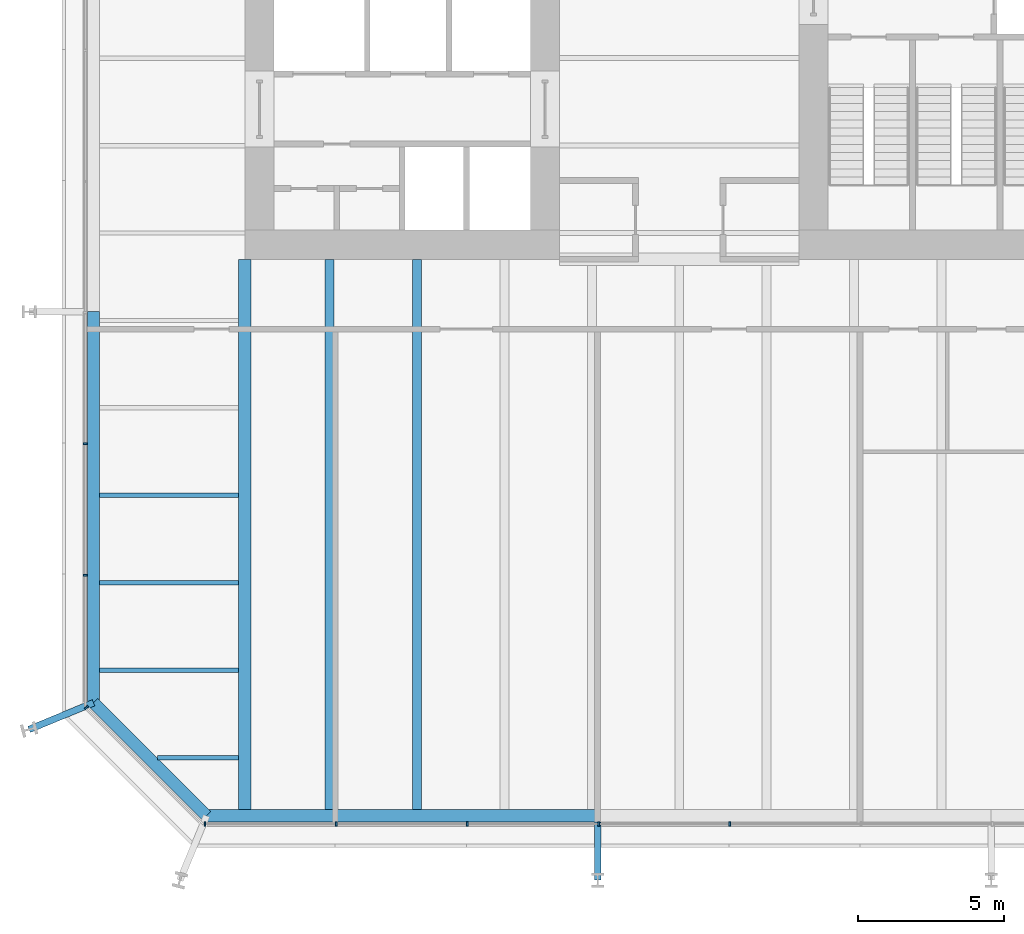
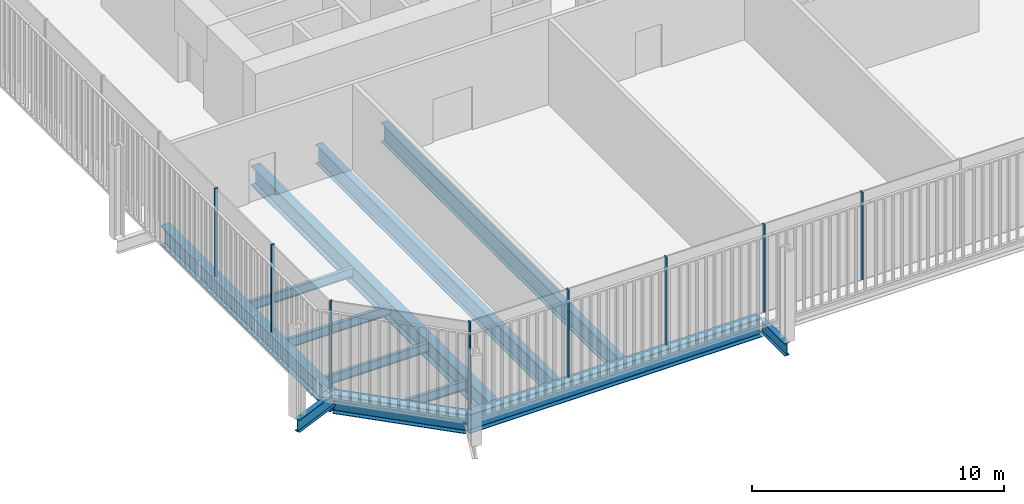
# One storey, part 2 of 20: 12 beams, 8 members, 3 elements without a shape of their own.
"""IFC4 building model written with IfcOpenShell, lengths in metres."""

from ifc_helpers import new_model, si_unit, direction, frame, origin, origin_2d, place, context, subcontext, project, spatial, rectangle, i_section, extrude, material, layer, layer_set, material_profile, profile_set, type_object, element, aggregate, save


model = new_model("IFC4")

# Units and contexts
model_context = context("Model", 3, precision=1e-05, world=origin(), true_north=direction((0.0, 1.0)))
body_context = subcontext(model_context, "Body", "Model", "MODEL_VIEW")
ifc_project = project(units=[si_unit("LENGTHUNIT", "METRE"), si_unit("AREAUNIT", "SQUARE_METRE"), si_unit("VOLUMEUNIT", "CUBIC_METRE"), si_unit("PLANEANGLEUNIT", "RADIAN"), si_unit("MASSUNIT", "GRAM", prefix="KILO")], contexts=[model_context])

# Site, building, storey
site_placement = place(None, origin())
site = spatial("IfcSite", under=ifc_project, at=site_placement, CompositionType="ELEMENT")
building_placement = place(site_placement, origin())
building = spatial("IfcBuilding", under=site, at=building_placement, Name="Millrace Tower", CompositionType="ELEMENT")
storey_placement = place(building_placement, frame((0.0, 0.0, 108.39990234375)))
storey = spatial("IfcBuildingStorey", under=building, at=storey_placement, Name="L24", CompositionType="ELEMENT", Elevation=108.39990234375)

# Curtain wall, member
ifc_material_1 = material(Name="Aluminium and glass", Category="aluminium")
ifc_layer = layer(ifc_material_1, 0.14990234375)
ifc_layer_set = layer_set([ifc_layer], Name="Aluminium and glass")
curtain_wall_type = type_object("IfcCurtainWallType", Name="CW-3 telecom floor curtain wall", PredefinedType="NOTDEFINED", material=ifc_layer_set)
placement = place(storey_placement, origin())
curtain_wall_1 = element("IfcCurtainWall", 1, at=placement, inside=storey, type_object=curtain_wall_type, Name="Curtain wall B-F01 L24", PredefinedType="NOTDEFINED")
ifc_material_2 = material(Name="Aluminium", Category="aluminium")
ifc_material_profile_1 = material_profile(ifc_material_2, rectangle(XDim=0.06494140625, YDim=0.14990234375, at=origin_2d()))
ifc_profile_set_1 = profile_set([ifc_material_profile_1], Name="Aluminium")
member_type = type_object("IfcMemberType", Name="CW-3 telecom floor curtain wall mullion", PredefinedType="MULLION", material=ifc_profile_set_1)
member_1_placement = place(storey_placement, frame((-20.330078125, -25.276123046875, 0.150146484375), z_axis=(0.0, 0.0, 1.0), x_axis=(0.707106781187, -0.707106781187, 0.0)))
member_1 = element("IfcMember", 2, at=member_1_placement, type_object=member_type, Name="CW3 mullion B-F01.1", PredefinedType="MULLION", context=body_context, shape_type="SweptSolid", body=[
    extrude(rectangle(XDim=0.06494140625, YDim=0.14990234375, at=origin_2d()), origin(), (0.0, 0.0, 1.0), 4.25),
])
aggregate(curtain_wall_1, [member_1])

# Curtain wall, members
curtain_wall_2 = element("IfcCurtainWall", 3, at=placement, inside=storey, type_object=curtain_wall_type, Name="Curtain wall B-F02 L24", PredefinedType="NOTDEFINED")
member_2_placement = place(storey_placement, frame((-16.267578125, -29.27490234375, 0.150146484375), z_axis=(0.0, 0.0, 1.0), x_axis=(1.0, 0.0, 0.0)))
member_2 = element("IfcMember", 4, at=member_2_placement, type_object=member_type, Name="CW3 mullion B-F02.1", PredefinedType="MULLION", context=body_context, shape_type="SweptSolid", body=[
    extrude(rectangle(XDim=0.06494140625, YDim=0.14990234375, at=origin_2d()), origin(), (0.0, 0.0, 1.0), 4.25),
])
member_3_placement = place(storey_placement, frame((-11.767578125, -29.27490234375, 0.150146484375), z_axis=(0.0, 0.0, 1.0), x_axis=(1.0, 0.0, 0.0)))
member_3 = element("IfcMember", 5, at=member_3_placement, type_object=member_type, Name="CW3 mullion B-F02.2", PredefinedType="MULLION", context=body_context, shape_type="SweptSolid", body=[
    extrude(rectangle(XDim=0.06494140625, YDim=0.14990234375, at=origin_2d()), origin(), (0.0, 0.0, 1.0), 4.25),
])
member_4_placement = place(storey_placement, frame((-7.267578125, -29.27490234375, 0.150146484375), z_axis=(0.0, 0.0, 1.0), x_axis=(1.0, 0.0, 0.0)))
member_4 = element("IfcMember", 6, at=member_4_placement, type_object=member_type, Name="CW3 mullion B-F02.3", PredefinedType="MULLION", context=body_context, shape_type="SweptSolid", body=[
    extrude(rectangle(XDim=0.06494140625, YDim=0.14990234375, at=origin_2d()), origin(), (0.0, 0.0, 1.0), 4.25),
])
member_5_placement = place(storey_placement, frame((-2.767578125, -29.27490234375, 0.150146484375), z_axis=(0.0, 0.0, 1.0), x_axis=(1.0, 0.0, 0.0)))
member_5 = element("IfcMember", 7, at=member_5_placement, type_object=member_type, Name="CW3 mullion B-F02.4", PredefinedType="MULLION", context=body_context, shape_type="SweptSolid", body=[
    extrude(rectangle(XDim=0.06494140625, YDim=0.14990234375, at=origin_2d()), origin(), (0.0, 0.0, 1.0), 4.25),
])
member_6_placement = place(storey_placement, frame((1.732421875, -29.27490234375, 0.150146484375), z_axis=(0.0, 0.0, 1.0), x_axis=(1.0, 0.0, 0.0)))
member_6 = element("IfcMember", 8, at=member_6_placement, type_object=member_type, Name="CW3 mullion B-F02.5", PredefinedType="MULLION", context=body_context, shape_type="SweptSolid", body=[
    extrude(rectangle(XDim=0.06494140625, YDim=0.14990234375, at=origin_2d()), origin(), (0.0, 0.0, 1.0), 4.25),
])
aggregate(curtain_wall_2, [member_2, member_3, member_4, member_5, member_6])

curtain_wall_3 = element("IfcCurtainWall", 9, at=placement, inside=storey, type_object=curtain_wall_type, Name="Curtain wall B-F08 L24", PredefinedType="NOTDEFINED")
member_7_placement = place(storey_placement, frame((-20.375, -16.232421875, 0.150146484375), z_axis=(0.0, 0.0, 1.0), x_axis=(0.0, -1.0, 0.0)))
member_7 = element("IfcMember", 10, at=member_7_placement, type_object=member_type, Name="CW3 mullion B-F08.8", PredefinedType="MULLION", context=body_context, shape_type="SweptSolid", body=[
    extrude(rectangle(XDim=0.06494140625, YDim=0.14990234375, at=origin_2d()), origin(), (0.0, 0.0, 1.0), 4.25),
])
member_8_placement = place(storey_placement, frame((-20.375, -20.732421875, 0.150146484375), z_axis=(0.0, 0.0, 1.0), x_axis=(0.0, -1.0, 0.0)))
member_8 = element("IfcMember", 11, at=member_8_placement, type_object=member_type, Name="CW3 mullion B-F08.9", PredefinedType="MULLION", context=body_context, shape_type="SweptSolid", body=[
    extrude(rectangle(XDim=0.06494140625, YDim=0.14990234375, at=origin_2d()), origin(), (0.0, 0.0, 1.0), 4.25),
])
aggregate(curtain_wall_3, [member_7, member_8])

# Beams
ifc_material_3 = material(Name="Steel ASTM A992 Grade 50", Category="steel")
ifc_material_profile_2 = material_profile(ifc_material_3, i_section(OverallWidth=0.15234375, OverallDepth=0.449462890625, WebThickness=0.007568359375, FlangeThickness=0.0107421875, FilletRadius=0.01025390625, at=origin_2d()))
ifc_profile_set_2 = profile_set([ifc_material_profile_2], Name="Steel ASTM A992 Grade 50")
beam_type_1 = type_object("IfcBeamType", Name="Floor beam W18x35", PredefinedType="JOIST", material=ifc_profile_set_2)
for number, where, z_axis, x_axis, name in (
    (12, (-19.880859375, -24.0, -0.4248046875), (1.0, 0.0, 0.0), (0.0, 1.0, 0.0), "BM-B-L24-S1-S003"),
    (13, (-19.880859375, -21.0, -0.4248046875), (1.0, 0.0, 0.0), (0.0, 1.0, 0.0), "BM-B-L24-S1-S005"),
    (14, (-19.880859375, -18.0, -0.4248046875), (1.0, 0.0, 0.0), (0.0, 1.0, 0.0), "BM-B-L24-S1-S007"),
):
    element("IfcBeam", number, at=place(storey_placement, frame(where, z_axis=z_axis, x_axis=x_axis)), inside=storey, type_object=beam_type_1, Name=name, PredefinedType="JOIST", context=body_context, shape_type="SweptSolid", body=[
        extrude(i_section(OverallWidth=0.15234375, OverallDepth=0.449462890625, WebThickness=0.007568359375, FlangeThickness=0.0107421875, FilletRadius=0.01025390625, at=origin_2d()), origin(), (0.0, 0.0, 1.0), 4.77001953125),
    ])
beam_1_placement = place(storey_placement, frame((-17.895263671875, -27.0, -0.4248046875), z_axis=(1.0, 0.0, 0.0), x_axis=(0.0, 1.0, 0.0)))
element("IfcBeam", 15, at=beam_1_placement, inside=storey, type_object=beam_type_1, Name="BM-B-L24-S1-S001", PredefinedType="JOIST", context=body_context, shape_type="SweptSolid", body=[
    extrude(i_section(OverallWidth=0.15234375, OverallDepth=0.449462890625, WebThickness=0.007568359375, FlangeThickness=0.0107421875, FilletRadius=0.01025390625, at=origin_2d()), origin(), (0.0, 0.0, 1.0), 2.784423828125),
])
ifc_material_4 = material(Name="Steel ASTM A992 Grade 50", Category="steel")
ifc_material_profile_3 = material_profile(ifc_material_4, i_section(OverallWidth=0.307373046875, OverallDepth=0.927001953125, WebThickness=0.01953125, FlangeThickness=0.031982421875, FilletRadius=0.01904296875, at=origin_2d()))
ifc_profile_set_3 = profile_set([ifc_material_profile_3], Name="Steel ASTM A992 Grade 50")
beam_type_2 = type_object("IfcBeamType", Name="Floor beam W36x194", PredefinedType="JOIST", material=ifc_profile_set_3)
for number, where, z_axis, x_axis, name in (
    (16, (-12.0, -28.781005859375, -0.66357421875), (0.0, 1.0, 0.0), (-1.0, 0.0, 0.0), "BM-B-L24-S1-S041"),
    (17, (-9.0, -28.781005859375, -0.66357421875), (0.0, 1.0, 0.0), (-1.0, 0.0, 0.0), "BM-B-L24-S1-S043"),
):
    element("IfcBeam", number, at=place(storey_placement, frame(where, z_axis=z_axis, x_axis=x_axis)), inside=storey, type_object=beam_type_2, Name=name, PredefinedType="JOIST", context=body_context, shape_type="SweptSolid", body=[
        extrude(i_section(OverallWidth=0.307373046875, OverallDepth=0.927001953125, WebThickness=0.01953125, FlangeThickness=0.031982421875, FilletRadius=0.01904296875, at=origin_2d()), origin(), (0.0, 0.0, 1.0), 18.881103515625),
    ])
ifc_material_5 = material(Name="Steel ASTM A992 Grade 50", Category="steel")
ifc_material_profile_4 = material_profile(ifc_material_5, i_section(OverallWidth=0.424072265625, OverallDepth=0.947509765625, WebThickness=0.02392578125, FlangeThickness=0.042724609375, FilletRadius=0.024169921875, at=origin_2d()))
ifc_profile_set_4 = profile_set([ifc_material_profile_4], Name="Steel ASTM A992 Grade 50")
beam_type_3 = type_object("IfcBeamType", Name="Girder medium span W36x302", PredefinedType="BEAM", material=ifc_profile_set_4)
beam_2_placement = place(storey_placement, frame((-14.89990234375, -28.781005859375, -0.673583984375), z_axis=(0.0, 1.0, 0.0), x_axis=(-1.0, 0.0, 0.0)))
element("IfcBeam", 18, at=beam_2_placement, inside=storey, type_object=beam_type_3, Name="BM-B-L24-S1-G059", PredefinedType="BEAM", context=body_context, shape_type="SweptSolid", body=[
    extrude(i_section(OverallWidth=0.424072265625, OverallDepth=0.947509765625, WebThickness=0.02392578125, FlangeThickness=0.042724609375, FilletRadius=0.024169921875, at=origin_2d()), origin(), (0.0, 0.0, 1.0), 18.881103515625),
])
ifc_material_6 = material(Name="Steel ASTM A992 Grade 50", Category="steel")
ifc_material_profile_5 = material_profile(ifc_material_6, i_section(OverallWidth=0.23046875, OverallDepth=0.6171875, WebThickness=0.01318359375, FlangeThickness=0.022216796875, FilletRadius=0.012939453125, at=origin_2d()))
ifc_profile_set_5 = profile_set([ifc_material_profile_5], Name="Steel ASTM A992 Grade 50")
beam_type_4 = type_object("IfcBeamType", Name="Link beam W24x94", PredefinedType="BEAM", material=ifc_profile_set_5)
beam_3_placement = place(storey_placement, frame((-20.09033203125, -25.11328125, -0.508544921875), z_axis=(-0.923917312949, -0.382592209583, 0.0), x_axis=(0.382592209583, -0.923917312949, 0.0)))
element("IfcBeam", 19, at=beam_3_placement, inside=storey, type_object=beam_type_4, Name="LNK-B-L24-S1-01", PredefinedType="BEAM", context=body_context, shape_type="SweptSolid", body=[
    extrude(i_section(OverallWidth=0.23046875, OverallDepth=0.6171875, WebThickness=0.01318359375, FlangeThickness=0.022216796875, FilletRadius=0.012939453125, at=origin_2d()), origin(), (0.0, 0.0, 1.0), 2.3916015625),
])
beam_4_placement = place(storey_placement, frame((-2.800048828125, -29.199951171875, -0.508544921875), z_axis=(0.0, -1.0, 0.0), x_axis=(1.0, 0.0, 0.0)))
element("IfcBeam", 20, at=beam_4_placement, inside=storey, type_object=beam_type_4, Name="LNK-B-L24-S1-15", PredefinedType="BEAM", context=body_context, shape_type="SweptSolid", body=[
    extrude(i_section(OverallWidth=0.23046875, OverallDepth=0.6171875, WebThickness=0.01318359375, FlangeThickness=0.022216796875, FilletRadius=0.012939453125, at=origin_2d()), origin(), (0.0, 0.0, 1.0), 2.0),
])
ifc_material_7 = material(Name="Steel ASTM A992 Grade 50", Category="steel")
ifc_material_profile_6 = material_profile(ifc_material_7, i_section(OverallWidth=0.419189453125, OverallDepth=0.927001953125, WebThickness=0.019287109375, FlangeThickness=0.031982421875, FilletRadius=0.024169921875, at=origin_2d()))
ifc_profile_set_6 = profile_set([ifc_material_profile_6], Name="Steel ASTM A992 Grade 50")
beam_type_5 = type_object("IfcBeamType", Name="Ring beam medium span W36x231", PredefinedType="SPANDREL", material=ifc_profile_set_6)
beam_5_placement = place(storey_placement, frame((-20.09033203125, -25.11328125, -0.66357421875), z_axis=(0.0, 1.0, 0.0), x_axis=(-1.0, 0.0, 0.0)))
element("IfcBeam", 21, at=beam_5_placement, inside=storey, type_object=beam_type_5, Name="RNG-B-L24-S1-01", PredefinedType="SPANDREL", context=body_context, shape_type="SweptSolid", body=[
    extrude(i_section(OverallWidth=0.419189453125, OverallDepth=0.927001953125, WebThickness=0.019287109375, FlangeThickness=0.031982421875, FilletRadius=0.024169921875, at=origin_2d()), origin(), (0.0, 0.0, 1.0), 13.413330078125),
])
beam_6_placement = place(storey_placement, frame((-2.800048828125, -28.990478515625, -0.66357421875), z_axis=(-1.0, 0.0, 0.0), x_axis=(0.0, -1.0, 0.0)))
element("IfcBeam", 22, at=beam_6_placement, inside=storey, type_object=beam_type_5, Name="RNG-B-L24-S1-15", PredefinedType="SPANDREL", context=body_context, shape_type="SweptSolid", body=[
    extrude(i_section(OverallWidth=0.419189453125, OverallDepth=0.927001953125, WebThickness=0.019287109375, FlangeThickness=0.031982421875, FilletRadius=0.024169921875, at=origin_2d()), origin(), (0.0, 0.0, 1.0), 13.4130859375),
])
ifc_material_8 = material(Name="Steel ASTM A992 Grade 50", Category="steel")
ifc_material_profile_7 = material_profile(ifc_material_8, i_section(OverallWidth=0.419189453125, OverallDepth=0.927001953125, WebThickness=0.019287109375, FlangeThickness=0.031982421875, FilletRadius=0.024169921875, at=origin_2d()))
ifc_profile_set_7 = profile_set([ifc_material_profile_7], Name="Steel ASTM A992 Grade 50")
beam_type_6 = type_object("IfcBeamType", Name="Ring beam short span W36x231", PredefinedType="SPANDREL", material=ifc_profile_set_7)
beam_7_placement = place(storey_placement, frame((-16.213134765625, -28.990478515625, -0.66357421875), z_axis=(-0.707106781187, 0.707106781187, 0.0), x_axis=(-0.707106781187, -0.707106781187, 0.0)))
element("IfcBeam", 23, at=beam_7_placement, inside=storey, type_object=beam_type_6, Name="RNG-B-L24-S1-16", PredefinedType="SPANDREL", context=body_context, shape_type="SweptSolid", body=[
    extrude(i_section(OverallWidth=0.419189453125, OverallDepth=0.927001953125, WebThickness=0.019287109375, FlangeThickness=0.031982421875, FilletRadius=0.024169921875, at=origin_2d()), origin(), (0.0, 0.0, 1.0), 5.483154296875),
])

save(model, "model.ifc")
